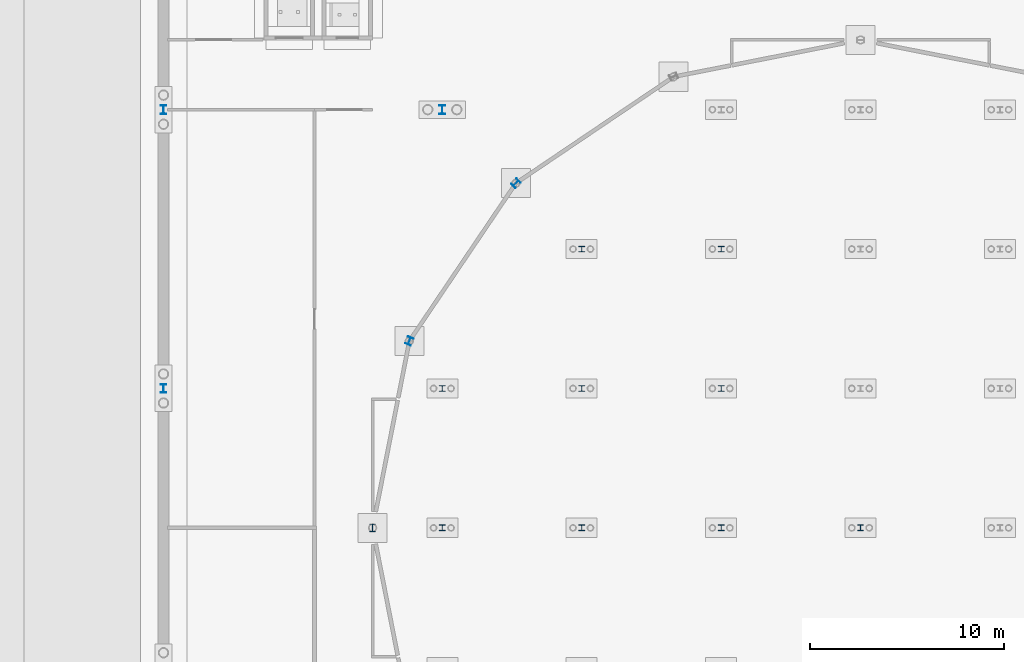
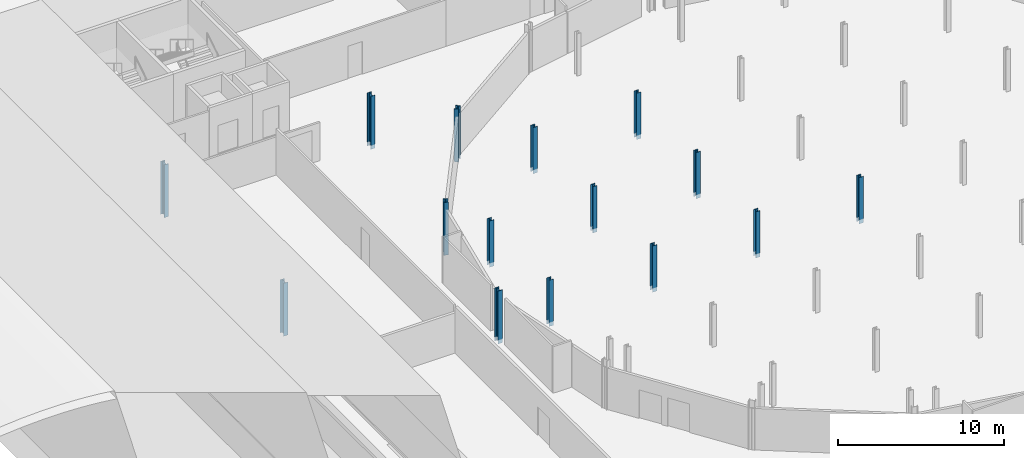
# One storey, part 46 of 148: 15 columns.
"""IFC4 building model written with IfcOpenShell, lengths in metres."""

import ifcopenshell
import ifcopenshell.guid

model = None  # the IFC model being written
_history = None  # IfcOwnerHistory: only IFC2X3 demands one
_inside = {}  # id of a spatial element -> (the spatial element, [elements in it])
_under = {}  # id of a project, library or spatial element -> (it, [spatial elements below it])
_declared = {}  # id of a project -> (the project, [libraries it declares])
_typed = {}  # id of a type object -> (the type object, [elements of that type])
_made_of = {}  # id of a material, layer set ... -> (it, [elements and type objects made of it])


def new_model(schema):
    """Start an empty IFC model of exactly this schema.

    Asked for "IFC4X3", IfcOpenShell would pick the latest addendum, in which some entities
    have other attributes; the version numbers below select the first issue.
    IFC2X3 requires an IfcOwnerHistory on every rooted entity: one is made here for all.
    """
    global model, _history
    if schema == "IFC4X3":
        model = ifcopenshell.file(schema_version=(4, 3, 0, 0))
    else:
        model = ifcopenshell.file(schema=schema)
    _inside.clear()
    _under.clear()
    _declared.clear()
    _typed.clear()
    _made_of.clear()
    _history = None
    if model.schema == "IFC2X3":
        org = make("IfcOrganization", Name="unknown")
        user = make(
            "IfcPersonAndOrganization",
            ThePerson=make("IfcPerson", FamilyName="unknown"),
            TheOrganization=org,
        )
        app = make(
            "IfcApplication",
            ApplicationDeveloper=org,
            Version="unknown",
            ApplicationFullName="unknown",
            ApplicationIdentifier="unknown",
        )
        _history = make(
            "IfcOwnerHistory",
            OwningUser=user,
            OwningApplication=app,
            ChangeAction="ADDED",
            CreationDate=0,
        )
    return model


def make(cls, **values):
    """One entity of the class cls with the attributes given. An attribute that is None is left unset."""
    return model.create_entity(
        cls, **{name: value for name, value in values.items() if value is not None}
    )


def rooted(cls, **values):
    """An entity with a GlobalId (a new one), such as an element, a storey or a relation."""
    return make(cls, GlobalId=ifcopenshell.guid.new(), OwnerHistory=_history, **values)


def si_unit(unit_type, name, prefix=None):
    """IfcSIUnit, for example si_unit("LENGTHUNIT", "METRE", prefix="MILLI")."""
    return make("IfcSIUnit", UnitType=unit_type, Prefix=prefix, Name=name)


def assignment(units):
    """IfcUnitAssignment: the units of a project."""
    return None if units is None else make("IfcUnitAssignment", Units=units)


def point(xyz):
    """IfcCartesianPoint."""
    return None if xyz is None else make("IfcCartesianPoint", Coordinates=xyz)


def direction(xyz):
    """IfcDirection."""
    return None if xyz is None else make("IfcDirection", DirectionRatios=xyz)


def frame(location, z_axis=None, x_axis=None):
    """IfcAxis2Placement3D, a coordinate frame: its origin and axes. An axis left out is left unset."""
    return make(
        "IfcAxis2Placement3D",
        Location=point(location),
        Axis=direction(z_axis),
        RefDirection=direction(x_axis),
    )


def frame_2d(location, x_axis=None):
    """IfcAxis2Placement2D, a coordinate frame in the plane: its origin and x axis."""
    return make(
        "IfcAxis2Placement2D", Location=point(location), RefDirection=direction(x_axis)
    )


def origin():
    """The frame at (0, 0, 0) with its axes left unset."""
    return frame((0.0, 0.0, 0.0))


def origin_2d():
    """The frame at (0, 0) in the plane with its x axis left unset."""
    return frame_2d((0.0, 0.0))


def place(relative_to, where):
    """IfcLocalPlacement: puts the frame where relative to a parent placement (None: the world)."""
    return make(
        "IfcLocalPlacement", PlacementRelTo=relative_to, RelativePlacement=where
    )


def context(
    kind, dimensions, precision=None, world=None, true_north=None, identifier=None
):
    """IfcGeometricRepresentationContext, for example the 3D "Model" context."""
    return make(
        "IfcGeometricRepresentationContext",
        ContextIdentifier=identifier,
        ContextType=kind,
        CoordinateSpaceDimension=dimensions,
        Precision=precision,
        WorldCoordinateSystem=world,
        TrueNorth=true_north,
    )


def subcontext(parent, identifier, kind, view, scale=None):
    """IfcGeometricRepresentationSubContext, for example "Body" below "Model"."""
    return make(
        "IfcGeometricRepresentationSubContext",
        ContextIdentifier=identifier,
        ContextType=kind,
        ParentContext=parent,
        TargetScale=scale,
        TargetView=view,
    )


def project(units=None, contexts=None):
    """IfcProject with its units and contexts."""
    return rooted(
        "IfcProject",
        Name="project",
        RepresentationContexts=contexts,
        UnitsInContext=assignment(units),
    )


def spatial(cls, under=None, at=None, **own):
    """A site, building, storey or space (cls), placed at a placement, below another one or the project."""
    s = rooted(cls, ObjectPlacement=at, **own)
    if under is not None:
        _under.setdefault(under.id(), (under, []))[1].append(s)
    return s


def profile(cls, at=None, kind="AREA", **sizes):
    """A parametric profile (cls). Its sizes go by their IFC names, for example OverallWidth=200.0."""
    return make(cls, ProfileType=kind, Position=at, **sizes)


def i_section(**sizes):
    """IfcIShapeProfileDef."""
    return profile("IfcIShapeProfileDef", **sizes)


def extrude(swept, where, along, depth):
    """IfcExtrudedAreaSolid: the profile swept, set in the frame where, extruded along a direction by depth."""
    return make(
        "IfcExtrudedAreaSolid",
        SweptArea=swept,
        Position=where,
        ExtrudedDirection=direction(along),
        Depth=depth,
    )


def shape(context_of_items, identifier, shape_type, items):
    """IfcShapeRepresentation: the items that make up one representation, for example the "Body"."""
    return make(
        "IfcShapeRepresentation",
        ContextOfItems=context_of_items,
        RepresentationIdentifier=identifier,
        RepresentationType=shape_type,
        Items=items,
    )


def material(Name=None, Category=None):
    """IfcMaterial."""
    return make("IfcMaterial", Name=Name, Category=Category)


def material_profile(
    of_material, cross_section, Name=None, Category=None, Priority=None
):
    """IfcMaterialProfile: a cross section and its material."""
    return make(
        "IfcMaterialProfile",
        Name=Name,
        Material=of_material,
        Profile=cross_section,
        Priority=Priority,
        Category=Category,
    )


def profile_set(profiles, Name=None, composite=None):
    """IfcMaterialProfileSet."""
    return make(
        "IfcMaterialProfileSet",
        Name=Name,
        MaterialProfiles=profiles,
        CompositeProfile=composite,
    )


def made_of(thing, what):
    """Note that an element or type object is made of a material, layer set ...; save() writes the relation."""
    if what is not None:
        _made_of.setdefault(what.id(), (what, []))[1].append(thing)
    return thing


def type_object(cls, material=None, **own):
    """A type object (cls), such as IfcWallType, which elements share."""
    return made_of(rooted(cls, **own), material)


def element(
    cls,
    number,
    at=None,
    inside=None,
    cuts=None,
    type_object=None,
    material=None,
    context=None,
    identifier="Body",
    shape_type=None,
    held_by="IfcProductDefinitionShape",
    body=None,
    shapes=None,
    **own,
):
    """One element of the class cls, such as IfcWall. Its Tag is "e" and its number.

    at: its placement. inside: the storey or other place that contains it. cuts: it is an
    opening in that element (IfcRelVoidsElement). A single representation is given by context,
    identifier, shape_type and body (its items); several are given by shapes. held_by: the class
    of the entity that holds the representations. save() writes the other relations.
    """
    e = rooted(cls, Tag="e%d" % number, ObjectPlacement=at, **own)
    if body is not None:
        shapes = [shape(context, identifier, shape_type, body)]
    if shapes is not None:
        e.Representation = make(held_by, Representations=shapes)
    if inside is not None:
        _inside.setdefault(inside.id(), (inside, []))[1].append(e)
    if cuts is not None:
        rooted(
            "IfcRelVoidsElement", RelatingBuildingElement=cuts, RelatedOpeningElement=e
        )
    if type_object is not None:
        _typed.setdefault(type_object.id(), (type_object, []))[1].append(e)
    return made_of(e, material)


def aggregate(whole, parts):
    """IfcRelAggregates: a whole, such as a stair, and the parts it consists of."""
    return rooted("IfcRelAggregates", RelatingObject=whole, RelatedObjects=parts)


def save(model, path):
    """Write the relations noted so far, then the file.

    IfcRelAggregates (storeys below a building ...), IfcRelContainedInSpatialStructure (elements
    in a storey), IfcRelDefinesByType, IfcRelAssociatesMaterial and IfcRelDeclares: one each for
    every whole, place, type object, material and project.
    """
    for whole, parts in _under.values():
        aggregate(whole, parts)
    for where, things in _inside.values():
        rooted(
            "IfcRelContainedInSpatialStructure",
            RelatedElements=things,
            RelatingStructure=where,
        )
    for kind, things in _typed.values():
        rooted("IfcRelDefinesByType", RelatedObjects=things, RelatingType=kind)
    for what, things in _made_of.values():
        rooted("IfcRelAssociatesMaterial", RelatedObjects=things, RelatingMaterial=what)
    for by, libraries in _declared.values():
        rooted("IfcRelDeclares", RelatingContext=by, RelatedDefinitions=libraries)
    model.write(path)


model = new_model("IFC4")

# Units and contexts
model_context = context("Model", 3, precision=1e-05, world=origin(), true_north=direction((0.0, 1.0)))
body_context = subcontext(model_context, "Body", "Model", "MODEL_VIEW")
ifc_project = project(units=[si_unit("LENGTHUNIT", "METRE"), si_unit("AREAUNIT", "SQUARE_METRE"), si_unit("VOLUMEUNIT", "CUBIC_METRE"), si_unit("PLANEANGLEUNIT", "RADIAN"), si_unit("MASSUNIT", "GRAM", prefix="KILO")], contexts=[model_context])

# Site, building, storey
site_placement = place(None, origin())
site = spatial("IfcSite", under=ifc_project, at=site_placement, CompositionType="ELEMENT")
building_placement = place(site_placement, origin())
building = spatial("IfcBuilding", under=site, at=building_placement, Name="Kupolbacken Congress Centre", CompositionType="ELEMENT")
storey_placement = place(building_placement, origin())
storey = spatial("IfcBuildingStorey", under=building, at=storey_placement, Name="L00", CompositionType="ELEMENT", Elevation=0.0)

# Columns
ifc_material_1 = material(Name="Steel S355", Category="steel")
ifc_material_profile_1 = material_profile(ifc_material_1, i_section(OverallWidth=0.300048828125, OverallDepth=0.449951171875, WebThickness=0.013916015625, FlangeThickness=0.02587890625, FilletRadius=0.027099609375, at=origin_2d()), Name="HEB 450")
ifc_profile_set_1 = profile_set([ifc_material_profile_1], Name="Steel S355")
column_type_1 = type_object("IfcColumnType", Name="C03 column HEB 450", PredefinedType="COLUMN", material=ifc_profile_set_1)
for number, where, z_axis, x_axis, name in (
    (1, (7.199951171875, 93.60009765625, -0.300048828125), (0.0, 0.0, 1.0), (1.0, 0.0, 0.0), "S/col/C-P-2P/L00"),
    (2, (7.199951171875, 108.0, -0.300048828125), (0.0, 0.0, 1.0), (1.0, 0.0, 0.0), "S/col/C-P-2R/L00"),
    (3, (21.60009765625, 108.0, -0.300048828125), (0.0, 0.0, 1.0), (1.0, 0.0, 0.0), "S/col/C-P-4R/L00"),
):
    element("IfcColumn", number, at=place(storey_placement, frame(where, z_axis=z_axis, x_axis=x_axis)), inside=storey, type_object=column_type_1, Name=name, PredefinedType="COLUMN", context=body_context, shape_type="SweptSolid", body=[
        extrude(i_section(OverallWidth=0.300048828125, OverallDepth=0.449951171875, WebThickness=0.013916015625, FlangeThickness=0.02587890625, FilletRadius=0.027099609375, at=origin_2d()), origin(), (0.0, 0.0, 1.0), 3.900146484375),
    ])
ifc_material_2 = material(Name="Steel S355", Category="steel")
ifc_material_profile_2 = material_profile(ifc_material_2, i_section(OverallWidth=0.300048828125, OverallDepth=0.300048828125, WebThickness=0.010986328125, FlangeThickness=0.01904296875, FilletRadius=0.027099609375, at=origin_2d()), Name="HEB 300")
ifc_profile_set_2 = profile_set([ifc_material_profile_2], Name="Steel S355")
column_type_2 = type_object("IfcColumnType", Name="C06 column HEB 300", PredefinedType="COLUMN", material=ifc_profile_set_2)
for number, where, z_axis, x_axis, name in (
    (4, (21.60009765625, 86.39990234375, -0.300048828125), (0.0, 0.0, 1.0), (1.0, 0.0, 0.0), "S/col/C-PL-216-864/L00"),
    (5, (21.60009765625, 93.60009765625, -0.300048828125), (0.0, 0.0, 1.0), (1.0, 0.0, 0.0), "S/col/C-PL-216-936/L00"),
    (6, (28.800048828125, 86.39990234375, -0.300048828125), (0.0, 0.0, 1.0), (1.0, 0.0, 0.0), "S/col/C-PL-288-864/L00"),
    (7, (28.800048828125, 93.60009765625, -0.300048828125), (0.0, 0.0, 1.0), (1.0, 0.0, 0.0), "S/col/C-PL-288-936/L00"),
    (8, (28.800048828125, 100.800048828125, -0.300048828125), (0.0, 0.0, 1.0), (1.0, 0.0, 0.0), "S/col/C-PL-288-1008/L00"),
    (9, (36.0, 86.39990234375, -0.300048828125), (0.0, 0.0, 1.0), (1.0, 0.0, 0.0), "S/col/C-PL-360-864/L00"),
    (10, (36.0, 93.60009765625, -0.300048828125), (0.0, 0.0, 1.0), (1.0, 0.0, 0.0), "S/col/C-PL-360-936/L00"),
    (11, (36.0, 100.800048828125, -0.300048828125), (0.0, 0.0, 1.0), (1.0, 0.0, 0.0), "S/col/C-PL-360-1008/L00"),
    (12, (43.199951171875, 86.39990234375, -0.300048828125), (0.0, 0.0, 1.0), (1.0, 0.0, 0.0), "S/col/C-PL-432-864/L00"),
):
    element("IfcColumn", number, at=place(storey_placement, frame(where, z_axis=z_axis, x_axis=x_axis)), inside=storey, type_object=column_type_2, Name=name, PredefinedType="COLUMN", context=body_context, shape_type="SweptSolid", body=[
        extrude(i_section(OverallWidth=0.300048828125, OverallDepth=0.300048828125, WebThickness=0.010986328125, FlangeThickness=0.01904296875, FilletRadius=0.027099609375, at=origin_2d()), origin(), (0.0, 0.0, 1.0), 3.41015625),
    ])
ifc_material_3 = material(Name="Steel S355", Category="steel")
ifc_material_profile_3 = material_profile(ifc_material_3, i_section(OverallWidth=0.300048828125, OverallDepth=0.39990234375, WebThickness=0.013427734375, FlangeThickness=0.02392578125, FilletRadius=0.027099609375, at=origin_2d()), Name="HEB 400")
ifc_profile_set_3 = profile_set([ifc_material_profile_3], Name="Steel S355")
column_type_3 = type_object("IfcColumnType", Name="C08 column HEB 400", PredefinedType="COLUMN", material=ifc_profile_set_3)
for number, where, z_axis, x_axis, name in (
    (13, (25.39990234375, 104.199951171875, -0.300048828125), (0.0, 0.0, 1.0), (-0.707106781187, 0.707106781187, 0.0), "S/col/C-D07/L00"),
    (14, (19.89990234375, 96.050048828125, -0.300048828125), (0.0, 0.0, 1.0), (-0.923896018243, 0.382643629864, 0.0), "S/col/C-D08/L00"),
    (15, (18.0, 86.39990234375, -0.300048828125), (0.0, 0.0, 1.0), (-1.0, 0.0, 0.0), "S/col/C-D09/L00"),
):
    element("IfcColumn", number, at=place(storey_placement, frame(where, z_axis=z_axis, x_axis=x_axis)), inside=storey, type_object=column_type_3, Name=name, PredefinedType="COLUMN", context=body_context, shape_type="SweptSolid", body=[
        extrude(i_section(OverallWidth=0.300048828125, OverallDepth=0.39990234375, WebThickness=0.013427734375, FlangeThickness=0.02392578125, FilletRadius=0.027099609375, at=origin_2d()), origin(), (0.0, 0.0, 1.0), 3.900146484375),
    ])

save(model, "model.ifc")
